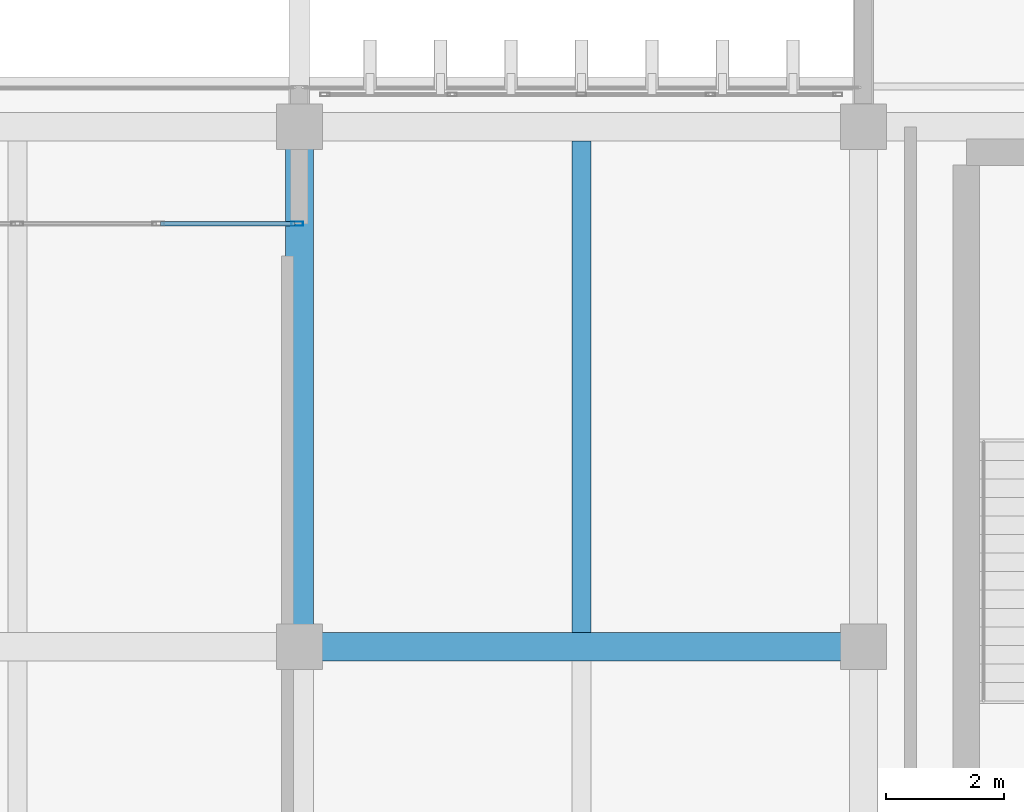
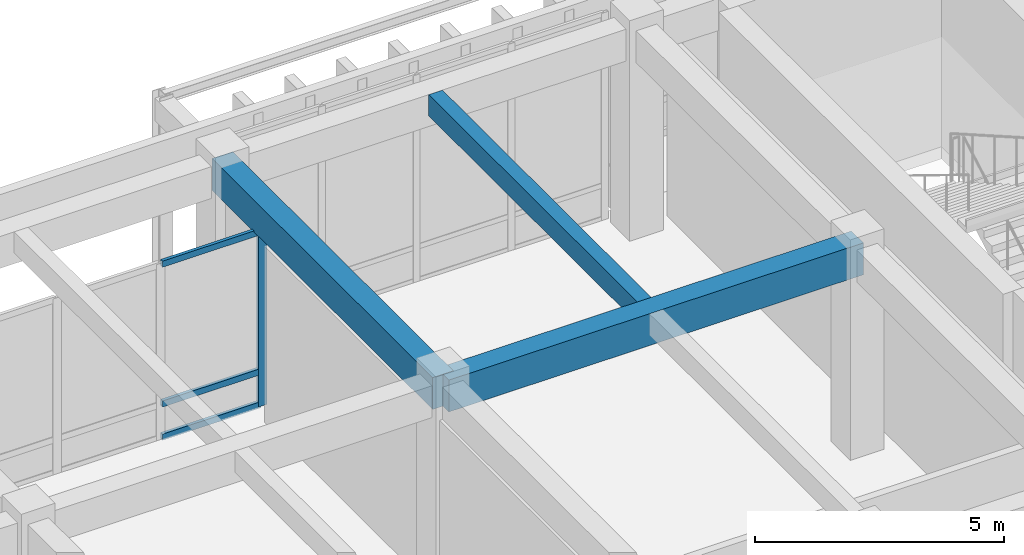
# One storey, part 47 of 134: 4 members, 3 beams, 1 element without a shape of its own.
"""IFC4 building model written with IfcOpenShell, lengths in metres."""

from ifc_helpers import new_model, si_unit, direction, frame, origin, origin_2d, place, context, subcontext, project, spatial, rectangle, hollow_rectangle, extrude, material, layer, layer_set, material_profile, profile_set, type_object, element, aggregate, save


model = new_model("IFC4")

# Units and contexts
model_context = context("Model", 3, precision=1e-05, world=origin(), true_north=direction((0.0, 1.0)))
body_context = subcontext(model_context, "Body", "Model", "MODEL_VIEW")
ifc_project = project(units=[si_unit("LENGTHUNIT", "METRE"), si_unit("AREAUNIT", "SQUARE_METRE"), si_unit("VOLUMEUNIT", "CUBIC_METRE"), si_unit("PLANEANGLEUNIT", "RADIAN"), si_unit("MASSUNIT", "GRAM", prefix="KILO")], contexts=[model_context])

# Site, building, storey
site_placement = place(None, origin())
site = spatial("IfcSite", under=ifc_project, at=site_placement, CompositionType="ELEMENT")
building_placement = place(site_placement, origin())
building = spatial("IfcBuilding", under=site, at=building_placement, Name="Nakhvara Creek Congress Hotel", CompositionType="ELEMENT")
storey_placement = place(building_placement, frame((0.0, 0.0, 6.0)))
storey = spatial("IfcBuildingStorey", under=building, at=storey_placement, Name="L01", CompositionType="ELEMENT", Elevation=6.0)

# Beams
ifc_material_1 = material(Name="Concrete C40/50", Category="concrete")
ifc_material_profile_1 = material_profile(ifc_material_1, rectangle(XDim=0.320068359375, YDim=0.52001953125, at=origin_2d()), Name="RC-BM 320x520", Category="LoadBearing")
ifc_profile_set_1 = profile_set([ifc_material_profile_1], Name="Concrete C40/50")
beam_type_1 = type_object("IfcBeamType", Name="BM-RC-320X520", PredefinedType="JOIST", material=ifc_profile_set_1)
beam_1_placement = place(storey_placement, frame((110.39990234375, 86.639892578125, 4.840087890625), z_axis=(0.0, 1.0, 0.0), x_axis=(-1.0, 0.0, 0.0)))
element("IfcBeam", 1, at=beam_1_placement, inside=storey, type_object=beam_type_1, Name="Secondary Joist BJ2-L01-1381", PredefinedType="JOIST", context=body_context, shape_type="SweptSolid", body=[
    extrude(rectangle(XDim=0.320068359375, YDim=0.52001953125, at=origin_2d()), origin(), (0.0, 0.0, 1.0), 8.3701171875),
])
ifc_material_profile_2 = material_profile(ifc_material_1, rectangle(XDim=0.47998046875, YDim=0.780029296875, at=origin_2d()), Name="RC-BM 480x780", Category="LoadBearing")
ifc_profile_set_2 = profile_set([ifc_material_profile_2], Name="Concrete C40/50")
beam_type_2 = type_object("IfcBeamType", Name="BM-RC-480X780", PredefinedType="BEAM", material=ifc_profile_set_2)
beam_2_placement = place(storey_placement, frame((105.60009765625, 86.39990234375, 4.7099609375), z_axis=(0.0, 1.0, 0.0), x_axis=(-1.0, 0.0, 0.0)))
element("IfcBeam", 2, at=beam_2_placement, inside=storey, type_object=beam_type_2, Name="Beam B13-L01-1200", PredefinedType="BEAM", context=body_context, shape_type="SweptSolid", body=[
    extrude(rectangle(XDim=0.47998046875, YDim=0.780029296875, at=origin_2d()), origin(), (0.0, 0.0, 1.0), 8.85009765625),
])
beam_3_placement = place(storey_placement, frame((105.60009765625, 86.39990234375, 4.7099609375), z_axis=(1.0, 0.0, 0.0), x_axis=(0.0, 1.0, 0.0)))
element("IfcBeam", 3, at=beam_3_placement, inside=storey, type_object=beam_type_2, Name="Beam B13-L01-1201", PredefinedType="BEAM", context=body_context, shape_type="SweptSolid", body=[
    extrude(rectangle(XDim=0.47998046875, YDim=0.780029296875, at=origin_2d()), origin(), (0.0, 0.0, 1.0), 9.599853515625),
])

# Curtain wall, members
ifc_material_2 = material(Name="Bronze-anodised aluminium AW-6063-T6 and double-silver low-E glass", Category="aluminium")
ifc_layer = layer(ifc_material_2, 0.219970703125)
ifc_layer_set = layer_set([ifc_layer], Name="Bronze-anodised aluminium AW-6063-T6 and double-silver low-E glass")
curtain_wall_type = type_object("IfcCurtainWallType", Name="CW-BOX-REC", PredefinedType="USERDEFINED", material=ifc_layer_set)
curtain_wall_placement = place(storey_placement, origin())
curtain_wall = element("IfcCurtainWall", 4, at=curtain_wall_placement, inside=storey, type_object=curtain_wall_type, Name="Curtain Wall CW068", ObjectType="UNITISED", PredefinedType="USERDEFINED")
ifc_material_3 = material(Name="Bronze-anodised aluminium AW-6063-T6", Category="aluminium")
ifc_material_profile_3 = material_profile(ifc_material_3, hollow_rectangle(XDim=0.074951171875, YDim=0.199951171875, WallThickness=0.0048828125, at=origin_2d()), Name="ALU-MULL 75x200x5", Category="LoadBearing")
ifc_profile_set_3 = profile_set([ifc_material_profile_3], Name="Bronze-anodised aluminium AW-6063-T6")
member_type_1 = type_object("IfcMemberType", Name="CW-MULL-200", PredefinedType="MULLION", material=ifc_profile_set_3)
member_1_placement = place(storey_placement, frame((105.5625, 93.60009765625, 0.0), z_axis=(0.0, 0.0, 1.0), x_axis=(0.0, 1.0, 0.0)))
member_1 = element("IfcMember", 5, at=member_1_placement, type_object=member_type_1, Name="CW068 mullion 5", PredefinedType="MULLION", context=body_context, shape_type="SweptSolid", body=[
    extrude(hollow_rectangle(XDim=0.074951171875, YDim=0.199951171875, WallThickness=0.0048828125, at=origin_2d()), origin(), (0.0, 0.0, 1.0), 4.31201171875),
])
ifc_material_profile_4 = material_profile(ifc_material_3, hollow_rectangle(XDim=0.074951171875, YDim=0.14990234375, WallThickness=0.00390625, at=origin_2d()), Name="ALU-TRAN 75x150x4", Category="LoadBearing")
ifc_profile_set_4 = profile_set([ifc_material_profile_4], Name="Bronze-anodised aluminium AW-6063-T6")
member_type_2 = type_object("IfcMemberType", Name="CW-TRAN-150", PredefinedType="USERDEFINED", material=ifc_profile_set_4)
member_2_placement = place(storey_placement, frame((103.237548828125, 93.60009765625, 0.03759765625), z_axis=(1.0, 0.0, 0.0), x_axis=(0.0, 1.0, 0.0)))
member_2 = element("IfcMember", 6, at=member_2_placement, type_object=member_type_2, Name="CW068 transom 4.1", ObjectType="TRANSOM", PredefinedType="USERDEFINED", context=body_context, shape_type="SweptSolid", body=[
    extrude(hollow_rectangle(XDim=0.074951171875, YDim=0.14990234375, WallThickness=0.00390625, at=origin_2d()), origin(), (0.0, 0.0, 1.0), 2.287353515625),
])
member_3_placement = place(storey_placement, frame((103.237548828125, 93.60009765625, 0.85009765625), z_axis=(1.0, 0.0, 0.0), x_axis=(0.0, 1.0, 0.0)))
member_3 = element("IfcMember", 7, at=member_3_placement, type_object=member_type_2, Name="CW068 transom 4.2", ObjectType="TRANSOM", PredefinedType="USERDEFINED", context=body_context, shape_type="SweptSolid", body=[
    extrude(hollow_rectangle(XDim=0.074951171875, YDim=0.14990234375, WallThickness=0.00390625, at=origin_2d()), origin(), (0.0, 0.0, 1.0), 2.287353515625),
])
member_4_placement = place(storey_placement, frame((103.237548828125, 93.60009765625, 4.2744140625), z_axis=(1.0, 0.0, 0.0), x_axis=(0.0, 1.0, 0.0)))
member_4 = element("IfcMember", 8, at=member_4_placement, type_object=member_type_2, Name="CW068 transom 4.3", ObjectType="TRANSOM", PredefinedType="USERDEFINED", context=body_context, shape_type="SweptSolid", body=[
    extrude(hollow_rectangle(XDim=0.074951171875, YDim=0.14990234375, WallThickness=0.00390625, at=origin_2d()), origin(), (0.0, 0.0, 1.0), 2.287353515625),
])
aggregate(curtain_wall, [member_1, member_2, member_3, member_4])

save(model, "model.ifc")
